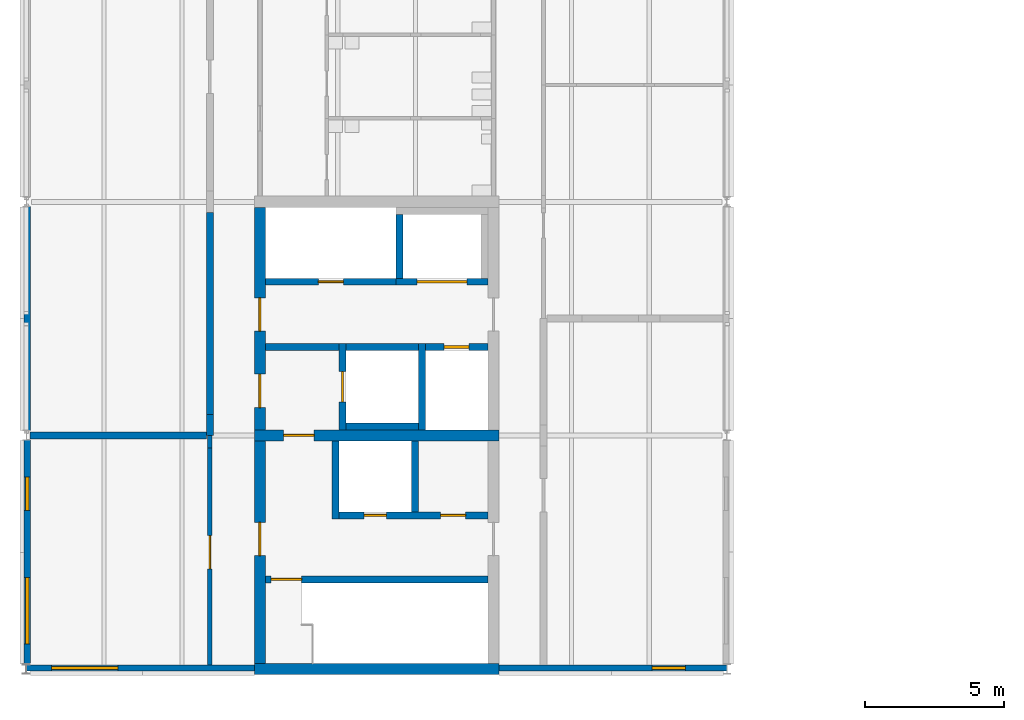
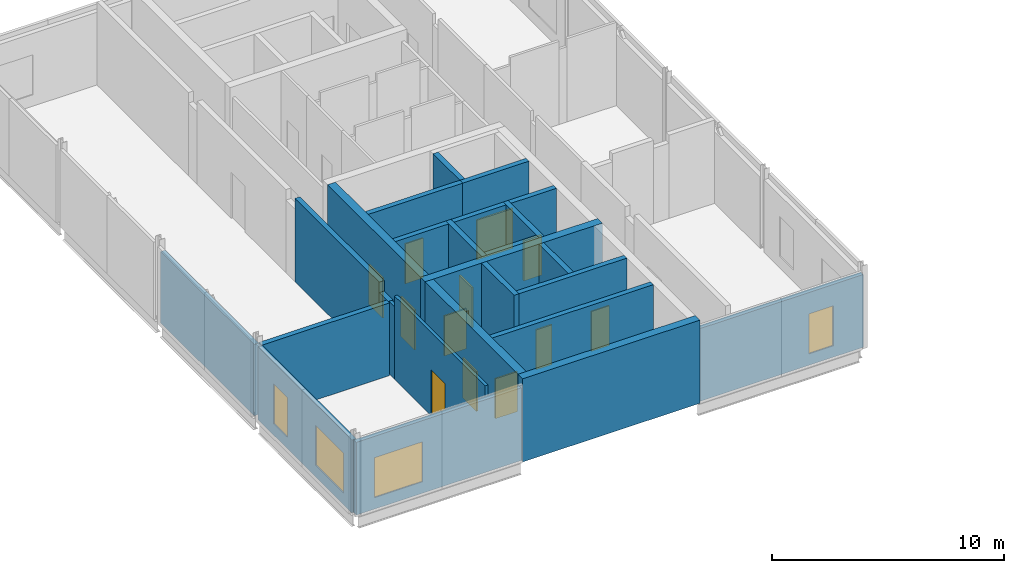
# One storey, part 13 of 26: 26 walls, 12 doors, 4 windows, 16 openings.
"""IFC4 building model written with IfcOpenShell, lengths in metres."""

from ifc_helpers import new_model, si_unit, direction, frame, frame_2d, origin, place, context, subcontext, project, spatial, rectangle, extrude, material, layer, layer_set, type_object, element, fill, save


model = new_model("IFC4")

# Units and contexts
model_context = context("Model", 3, precision=1e-05, world=origin(), true_north=direction((0.0, 1.0)))
body_context = subcontext(model_context, "Body", "Model", "MODEL_VIEW")
ifc_project = project(units=[si_unit("LENGTHUNIT", "METRE"), si_unit("AREAUNIT", "SQUARE_METRE"), si_unit("VOLUMEUNIT", "CUBIC_METRE"), si_unit("PLANEANGLEUNIT", "RADIAN"), si_unit("MASSUNIT", "GRAM", prefix="KILO")], contexts=[model_context])

# Site, building, storey
site_placement = place(None, origin())
site = spatial("IfcSite", under=ifc_project, at=site_placement, CompositionType="ELEMENT")
building_placement = place(site_placement, origin())
building = spatial("IfcBuilding", under=site, at=building_placement, Name="Hlaing Beacon Police Headquarters", CompositionType="ELEMENT")
storey_placement = place(building_placement, frame((0.0, 0.0, 23.39990234375)))
storey = spatial("IfcBuildingStorey", under=building, at=storey_placement, Name="L05", CompositionType="ELEMENT", Elevation=23.39990234375)

# Wall, opening, door
ifc_material_1 = material(Name="Concrete C60/75", Category="concrete")
ifc_layer_1 = layer(ifc_material_1, 0.39990234375)
ifc_layer_set_1 = layer_set([ifc_layer_1], Name="Concrete C60/75")
wall_type_1 = type_object("IfcWallType", Name="Core shear wall 400", PredefinedType="SHEAR", material=ifc_layer_set_1)
wall_1_placement = place(storey_placement, frame((16.60009765625, 42.0, 0.0), z_axis=(0.0, 0.0, 1.0), x_axis=(1.0, 0.0, 0.0)))
wall_1 = element("IfcWall", 1, at=wall_1_placement, inside=storey, type_object=wall_type_1, Name="Core shear wall", PredefinedType="SHEAR", context=body_context, shape_type="SweptSolid", body=[
    extrude(rectangle(XDim=8.7998046875, YDim=0.39990234375, at=frame_2d((4.39990234375, 0.0))), origin(), (0.0, 0.0, 1.0), 4.3701171875),
])
opening_1_placement = place(wall_1_placement, frame((1.050048828125, 0.0, 0.0)))
opening_1 = element("IfcOpeningElement", 2, at=opening_1_placement, cuts=wall_1, Name="Opening L05-919", PredefinedType="OPENING", context=body_context, shape_type="SweptSolid", body=[
    extrude(rectangle(XDim=1.10009765625, YDim=2.10009765625, at=frame_2d((0.550048828125, 1.050048828125))), frame((0.0, 0.2099609375, 0.0), z_axis=(0.0, -1.0, 0.0), x_axis=(1.0, 0.0, 0.0)), (0.0, 0.0, 1.0), 0.419921875),
])
ifc_material_2 = material(Name="Steel fire door leaf", Category="steel")
ifc_layer_2 = layer(ifc_material_2, 0.070068359375)
ifc_layer_set_2 = layer_set([ifc_layer_2], Name="Steel fire door leaf")
door_type_1 = type_object("IfcDoorType", Name="Steel fire door FD60S 1100x2100", OperationType="SINGLE_SWING_LEFT", PredefinedType="DOOR", material=ifc_layer_set_2)
door_1_placement = place(opening_1_placement, frame((1.10009765625, 0.0, 0.0), z_axis=(0.0, 0.0, 1.0), x_axis=(-1.0, 0.0, 0.0)))
door_1 = element("IfcDoor", 3, at=door_1_placement, inside=storey, type_object=door_type_1, Name="Door Firefighting Lobby Stair", OperationType="SINGLE_SWING_LEFT", OverallHeight=2.10009765625, OverallWidth=1.10009765625, PredefinedType="DOOR", context=body_context, shape_type="SweptSolid", body=[
    extrude(rectangle(XDim=1.10009765625, YDim=2.10009765625, at=frame_2d((0.550048828125, 1.050048828125))), frame((0.0, 0.034912109375, 0.0), z_axis=(0.0, -1.0, 0.0), x_axis=(1.0, 0.0, 0.0)), (0.0, 0.0, 1.0), 0.070068359375),
])
fill(opening_1, door_1)

# Wall, openings, doors
wall_2_placement = place(storey_placement, frame((16.800048828125, 42.199951171875, 0.0), z_axis=(0.0, 0.0, 1.0), x_axis=(0.0, 1.0, 0.0)))
wall_2 = element("IfcWall", 4, at=wall_2_placement, inside=storey, type_object=wall_type_1, Name="Core shear wall", PredefinedType="SHEAR", context=body_context, shape_type="SweptSolid", body=[
    extrude(rectangle(XDim=8.0, YDim=0.39990234375, at=frame_2d((4.0, 0.0))), origin(), (0.0, 0.0, 1.0), 4.3701171875),
])
opening_2_placement = place(wall_2_placement, frame((3.550048828125, 0.0, 0.0)))
opening_2 = element("IfcOpeningElement", 5, at=opening_2_placement, cuts=wall_2, Name="Opening L05-916", PredefinedType="OPENING", context=body_context, shape_type="SweptSolid", body=[
    extrude(rectangle(XDim=1.199951171875, YDim=2.10009765625, at=frame_2d((0.60009765625, 1.050048828125))), frame((0.0, 0.2099609375, 0.0), z_axis=(0.0, -1.0, 0.0), x_axis=(1.0, 0.0, 0.0)), (0.0, 0.0, 1.0), 0.419921875),
])
opening_3_placement = place(wall_2_placement, frame((0.800048828125, 0.0, 0.0)))
opening_3 = element("IfcOpeningElement", 6, at=opening_3_placement, cuts=wall_2, Name="Opening L05-918", PredefinedType="OPENING", context=body_context, shape_type="SweptSolid", body=[
    extrude(rectangle(XDim=1.199951171875, YDim=2.10009765625, at=frame_2d((0.60009765625, 1.050048828125))), frame((0.0, 0.2099609375, 0.0), z_axis=(0.0, -1.0, 0.0), x_axis=(1.0, 0.0, 0.0)), (0.0, 0.0, 1.0), 0.419921875),
])
ifc_material_3 = material(Name="Steel fire door leaf", Category="steel")
ifc_layer_3 = layer(ifc_material_3, 0.070068359375)
ifc_layer_set_3 = layer_set([ifc_layer_3], Name="Steel fire door leaf")
door_type_2 = type_object("IfcDoorType", Name="Steel fire door FD60S 1200x2100", OperationType="SINGLE_SWING_LEFT", PredefinedType="DOOR", material=ifc_layer_set_3)
door_2_placement = place(opening_2_placement, frame((1.199951171875, 0.0, 0.0), z_axis=(0.0, 0.0, 1.0), x_axis=(-1.0, 0.0, 0.0)))
door_2 = element("IfcDoor", 7, at=door_2_placement, inside=storey, type_object=door_type_2, Name="Door Lift Lobby Entry", OperationType="SINGLE_SWING_RIGHT", OverallHeight=2.10009765625, OverallWidth=1.199951171875, PredefinedType="DOOR", context=body_context, shape_type="SweptSolid", body=[
    extrude(rectangle(XDim=1.199951171875, YDim=2.10009765625, at=frame_2d((0.599853515625, 1.050048828125))), frame((0.0, 0.034912109375, 0.0), z_axis=(0.0, -1.0, 0.0), x_axis=(1.0, 0.0, 0.0)), (0.0, 0.0, 1.0), 0.070068359375),
])
fill(opening_2, door_2)
door_3_placement = place(opening_3_placement, frame((1.199951171875, 0.0, 0.0), z_axis=(0.0, 0.0, 1.0), x_axis=(-1.0, 0.0, 0.0)))
door_3 = element("IfcDoor", 8, at=door_3_placement, inside=storey, type_object=door_type_2, Name="Door Firefighting Lobby Entry", OperationType="SINGLE_SWING_LEFT", OverallHeight=2.10009765625, OverallWidth=1.199951171875, PredefinedType="DOOR", context=body_context, shape_type="SweptSolid", body=[
    extrude(rectangle(XDim=1.199951171875, YDim=2.10009765625, at=frame_2d((0.599853515625, 1.050048828125))), frame((0.0, 0.034912109375, 0.0), z_axis=(0.0, -1.0, 0.0), x_axis=(1.0, 0.0, 0.0)), (0.0, 0.0, 1.0), 0.070068359375),
])
fill(opening_3, door_3)

# Wall
wall_3_placement = place(storey_placement, frame((16.60009765625, 33.60009765625, 0.0), z_axis=(0.0, 0.0, 1.0), x_axis=(1.0, 0.0, 0.0)))
element("IfcWall", 9, at=wall_3_placement, inside=storey, type_object=wall_type_1, Name="Core shear wall", PredefinedType="SHEAR", context=body_context, shape_type="SweptSolid", body=[
    extrude(rectangle(XDim=8.7998046875, YDim=0.39990234375, at=frame_2d((4.39990234375, 0.0))), origin(), (0.0, 0.0, 1.0), 4.3701171875),
])

# Wall, opening, door
wall_4_placement = place(storey_placement, frame((16.800048828125, 33.800048828125, 0.0), z_axis=(0.0, 0.0, 1.0), x_axis=(0.0, 1.0, 0.0)))
wall_4 = element("IfcWall", 10, at=wall_4_placement, inside=storey, type_object=wall_type_1, Name="Core shear wall", PredefinedType="SHEAR", context=body_context, shape_type="SweptSolid", body=[
    extrude(rectangle(XDim=8.0, YDim=0.39990234375, at=frame_2d((4.0, 0.0))), origin(), (0.0, 0.0, 1.0), 4.3701171875),
])
opening_4_placement = place(wall_4_placement, frame((3.875, 0.0, 0.0)))
opening_4 = element("IfcOpeningElement", 11, at=opening_4_placement, cuts=wall_4, Name="Opening L05-928", PredefinedType="OPENING", context=body_context, shape_type="SweptSolid", body=[
    extrude(rectangle(XDim=1.199951171875, YDim=2.10009765625, at=frame_2d((0.60009765625, 1.050048828125))), frame((0.0, 0.2099609375, 0.0), z_axis=(0.0, -1.0, 0.0), x_axis=(1.0, 0.0, 0.0)), (0.0, 0.0, 1.0), 0.419921875),
])
door_4_placement = place(opening_4_placement, frame((1.199951171875, 0.0, 0.0), z_axis=(0.0, 0.0, 1.0), x_axis=(-1.0, 0.0, 0.0)))
door_4 = element("IfcDoor", 12, at=door_4_placement, inside=storey, type_object=door_type_2, Name="Door Stair Lobby ST-N Entry", OperationType="SINGLE_SWING_RIGHT", OverallHeight=2.10009765625, OverallWidth=1.199951171875, PredefinedType="DOOR", context=body_context, shape_type="SweptSolid", body=[
    extrude(rectangle(XDim=1.199951171875, YDim=2.10009765625, at=frame_2d((0.599853515625, 1.050048828125))), frame((0.0, 0.034912109375, 0.0), z_axis=(0.0, -1.0, 0.0), x_axis=(1.0, 0.0, 0.0)), (0.0, 0.0, 1.0), 0.070068359375),
])
fill(opening_4, door_4)

ifc_material_4 = material(Name="Gypsum board partition")
ifc_layer_4 = layer(ifc_material_4, 0.14990234375)
ifc_layer_set_4 = layer_set([ifc_layer_4], Name="Gypsum board partition")
wall_type_2 = type_object("IfcWallType", Name="Corridor wall EI 30 150", PredefinedType="PARTITIONING", material=ifc_layer_set_4)
wall_5_placement = place(storey_placement, frame((15.0, 33.75, 0.0), z_axis=(0.0, 0.0, 1.0), x_axis=(0.0, 1.0, 0.0)))
wall_5 = element("IfcWall", 13, at=wall_5_placement, inside=storey, type_object=wall_type_2, Name="Corridor wall EI 30 150", PredefinedType="PARTITIONING", context=body_context, shape_type="SweptSolid", body=[
    extrude(rectangle(XDim=7.7900390625, YDim=0.14990234375, at=frame_2d((3.89501953125, 0.0))), origin(), (0.0, 0.0, 1.0), 4.3701171875),
])
opening_5_placement = place(wall_5_placement, frame((3.449951171875, 0.0, 0.0)))
opening_5 = element("IfcOpeningElement", 14, at=opening_5_placement, cuts=wall_5, Name="Opening L05-017", PredefinedType="OPENING", context=body_context, shape_type="SweptSolid", body=[
    extrude(rectangle(XDim=1.199951171875, YDim=2.39990234375, at=frame_2d((0.60009765625, 1.199951171875))), frame((0.0, 0.0849609375, 0.0), z_axis=(0.0, -1.0, 0.0), x_axis=(1.0, 0.0, 0.0)), (0.0, 0.0, 1.0), 0.169921875),
])
ifc_material_5 = material(Name="Hardwood door leaf", Category="wood")
ifc_layer_5 = layer(ifc_material_5, 0.050048828125)
ifc_layer_set_5 = layer_set([ifc_layer_5], Name="Hardwood door leaf")
door_type_3 = type_object("IfcDoorType", Name="Fire public door FD30S 1200x2400", OperationType="SINGLE_SWING_LEFT", PredefinedType="DOOR", material=ifc_layer_set_5)
door_5_placement = place(opening_5_placement, origin())
door_5 = element("IfcDoor", 15, at=door_5_placement, inside=storey, type_object=door_type_3, Name="Door Laboratory Staff Welfare Room", OperationType="SINGLE_SWING_LEFT", OverallHeight=2.39990234375, OverallWidth=1.199951171875, PredefinedType="DOOR", context=body_context, shape_type="SweptSolid", body=[
    extrude(rectangle(XDim=1.199951171875, YDim=2.39990234375, at=frame_2d((0.60009765625, 1.199951171875))), frame((0.0, 0.02490234375, 0.0), z_axis=(0.0, -1.0, 0.0), x_axis=(1.0, 0.0, 0.0)), (0.0, 0.0, 1.0), 0.050048828125),
])
fill(opening_5, door_5)

# Walls
wall_6_placement = place(storey_placement, frame((15.0, 41.5400390625, 0.0), z_axis=(0.0, 0.0, 1.0), x_axis=(0.0, 1.0, 0.0)))
element("IfcWall", 16, at=wall_6_placement, inside=storey, type_object=wall_type_2, Name="Corridor wall EI 30 150", PredefinedType="PARTITIONING", context=body_context, shape_type="SweptSolid", body=[
    extrude(rectangle(XDim=0.4599609375, YDim=0.14990234375, at=frame_2d((0.22998046875, 0.0))), origin(), (0.0, 0.0, 1.0), 3.817138671875),
])
ifc_material_6 = material(Name="Concrete blockwork 7.5 N/mm2", Category="masonry")
ifc_layer_6 = layer(ifc_material_6, 0.25)
ifc_layer_set_6 = layer_set([ifc_layer_6], Name="Concrete blockwork 7.5 N/mm2")
wall_type_3 = type_object("IfcWallType", Name="Plant room wall EI 120 250", PredefinedType="PARTITIONING", material=ifc_layer_set_6)
wall_7_placement = place(storey_placement, frame((15.0, 42.0, 0.0), z_axis=(0.0, 0.0, 1.0), x_axis=(0.0, 1.0, 0.0)))
element("IfcWall", 17, at=wall_7_placement, inside=storey, type_object=wall_type_3, Name="Plant room wall EI 120 250", PredefinedType="PARTITIONING", context=body_context, shape_type="SweptSolid", body=[
    extrude(rectangle(XDim=0.760009765625, YDim=0.25, at=frame_2d((0.3798828125, 0.0))), origin(), (0.0, 0.0, 1.0), 3.817138671875),
])
wall_8_placement = place(storey_placement, frame((15.0, 42.760009765625, 0.0), z_axis=(0.0, 0.0, 1.0), x_axis=(0.0, 1.0, 0.0)))
element("IfcWall", 18, at=wall_8_placement, inside=storey, type_object=wall_type_3, Name="Plant room wall EI 120 250", PredefinedType="PARTITIONING", context=body_context, shape_type="SweptSolid", body=[
    extrude(rectangle(XDim=7.260009765625, YDim=0.25, at=frame_2d((3.6298828125, 0.0))), origin(), (0.0, 0.0, 1.0), 4.3701171875),
])
wall_9_placement = place(storey_placement, frame((8.529052734375, 42.0, 0.0), z_axis=(0.0, 0.0, 1.0), x_axis=(1.0, 0.0, 0.0)))
element("IfcWall", 19, at=wall_9_placement, inside=storey, type_object=wall_type_3, Name="Plant room wall EI 120 250", PredefinedType="PARTITIONING", context=body_context, shape_type="SweptSolid", body=[
    extrude(rectangle(XDim=6.345947265625, YDim=0.25, at=frame_2d((3.1728515625, 0.0))), origin(), (0.0, 0.0, 1.0), 3.817138671875),
])

# Wall, opening, window
ifc_material_7 = material(Name="Fibre cement ribbed cladding on insulated frame")
ifc_layer_7 = layer(ifc_material_7, 0.22509765625)
ifc_layer_set_7 = layer_set([ifc_layer_7], Name="Fibre cement ribbed cladding on insulated frame")
wall_type_4 = type_object("IfcWallType", Name="Ribbed fibre-cement clad wall 225", PredefinedType="SOLIDWALL", material=ifc_layer_set_7)
wall_10_placement = place(storey_placement, frame((8.405517578125, 33.637451171875, 0.0), z_axis=(0.0, 0.0, 1.0), x_axis=(1.0, 0.0, 0.0)))
wall_10 = element("IfcWall", 20, at=wall_10_placement, inside=storey, type_object=wall_type_4, Name="External wall L05 S001", PredefinedType="SOLIDWALL", context=body_context, shape_type="SweptSolid", body=[
    extrude(rectangle(XDim=8.194580078125, YDim=0.22509765625, at=frame_2d((4.09716796875, 0.0))), origin(), (0.0, 0.0, 1.0), 3.819091796875),
])
opening_6_placement = place(wall_10_placement, frame((0.89453125, 0.0, 0.60009765625)))
opening_6 = element("IfcOpeningElement", 21, at=opening_6_placement, cuts=wall_10, Name="Opening WN8", PredefinedType="OPENING", context=body_context, shape_type="SweptSolid", body=[
    extrude(rectangle(XDim=2.39990234375, YDim=2.10009765625, at=frame_2d((1.199951171875, 1.050048828125))), frame((0.0, 0.12255859375, 0.0), z_axis=(0.0, -1.0, 0.0), x_axis=(1.0, 0.0, 0.0)), (0.0, 0.0, 1.0), 0.2451171875),
])
ifc_material_8 = material(Name="Aluminium louvre blades", Category="aluminium")
window_type_1 = type_object("IfcWindowType", Name="Louvred bay 2400 2400x2100 frame 120", PartitioningType="SINGLE_PANEL", PredefinedType="WINDOW", material=ifc_material_8)
window_1_placement = place(opening_6_placement, origin())
window_1 = element("IfcWindow", 22, at=window_1_placement, inside=storey, type_object=window_type_1, Name="Louvre L05 WL3", OverallHeight=2.10009765625, OverallWidth=2.39990234375, PartitioningType="SINGLE_PANEL", PredefinedType="WINDOW", context=body_context, shape_type="SweptSolid", body=[
    extrude(rectangle(XDim=2.39990234375, YDim=2.10009765625, at=frame_2d((1.199951171875, 1.050048828125))), frame((0.0, 0.06005859375, 0.0), z_axis=(0.0, -1.0, 0.0), x_axis=(1.0, 0.0, 0.0)), (0.0, 0.0, 1.0), 0.1201171875),
])
fill(opening_6, window_1)

wall_11_placement = place(storey_placement, frame((25.39990234375, 33.637451171875, 0.0), z_axis=(0.0, 0.0, 1.0), x_axis=(1.0, 0.0, 0.0)))
wall_11 = element("IfcWall", 23, at=wall_11_placement, inside=storey, type_object=wall_type_4, Name="External wall L05 S002", PredefinedType="SOLIDWALL", context=body_context, shape_type="SweptSolid", body=[
    extrude(rectangle(XDim=8.1962890625, YDim=0.22509765625, at=frame_2d((4.09814453125, 0.0))), origin(), (0.0, 0.0, 1.0), 3.819091796875),
])
opening_7_placement = place(wall_11_placement, frame((5.5, 0.0, 0.60009765625)))
opening_7 = element("IfcOpeningElement", 24, at=opening_7_placement, cuts=wall_11, Name="Opening WN35", PredefinedType="OPENING", context=body_context, shape_type="SweptSolid", body=[
    extrude(rectangle(XDim=1.199951171875, YDim=2.10009765625, at=frame_2d((0.60009765625, 1.050048828125))), frame((0.0, 0.12255859375, 0.0), z_axis=(0.0, -1.0, 0.0), x_axis=(1.0, 0.0, 0.0)), (0.0, 0.0, 1.0), 0.2451171875),
])
ifc_material_9 = material(Name="Aluminium louvre blades", Category="aluminium")
window_type_2 = type_object("IfcWindowType", Name="Louvred bay 1200 1200x2100 frame 120", PartitioningType="SINGLE_PANEL", PredefinedType="WINDOW", material=ifc_material_9)
window_2_placement = place(opening_7_placement, origin())
window_2 = element("IfcWindow", 25, at=window_2_placement, inside=storey, type_object=window_type_2, Name="Louvre L05 WL2", OverallHeight=2.10009765625, OverallWidth=1.199951171875, PartitioningType="SINGLE_PANEL", PredefinedType="WINDOW", context=body_context, shape_type="SweptSolid", body=[
    extrude(rectangle(XDim=1.199951171875, YDim=2.10009765625, at=frame_2d((0.60009765625, 1.050048828125))), frame((0.0, 0.06005859375, 0.0), z_axis=(0.0, -1.0, 0.0), x_axis=(1.0, 0.0, 0.0)), (0.0, 0.0, 1.0), 0.1201171875),
])
fill(opening_7, window_2)

# Wall
wall_12_placement = place(storey_placement, frame((8.4375, 50.22998046875, 0.0), z_axis=(0.0, 0.0, 1.0), x_axis=(0.0, -1.0, 0.0)))
element("IfcWall", 26, at=wall_12_placement, inside=storey, type_object=wall_type_4, Name="External wall L05 W011", PredefinedType="SOLIDWALL", context=body_context, shape_type="SweptSolid", body=[
    extrude(rectangle(XDim=8.06005859375, YDim=0.22509765625, at=frame_2d((4.030029296875, 0.0))), origin(), (0.0, 0.0, 1.0), 3.74609375),
])

# Wall, openings, windows
wall_13_placement = place(storey_placement, frame((8.4375, 41.830078125, 0.0), z_axis=(0.0, 0.0, 1.0), x_axis=(0.0, -1.0, 0.0)))
wall_13 = element("IfcWall", 27, at=wall_13_placement, inside=storey, type_object=wall_type_4, Name="External wall L05 W012", PredefinedType="SOLIDWALL", context=body_context, shape_type="SweptSolid", body=[
    extrude(rectangle(XDim=8.059814453125, YDim=0.22509765625, at=frame_2d((4.02978515625, 0.0))), origin(), (0.0, 0.0, 1.0), 3.819091796875),
])
opening_8_placement = place(wall_13_placement, frame((1.330078125, 0.0, 0.60009765625)))
opening_8 = element("IfcOpeningElement", 28, at=opening_8_placement, cuts=wall_13, Name="Opening WN35", PredefinedType="OPENING", context=body_context, shape_type="SweptSolid", body=[
    extrude(rectangle(XDim=1.199951171875, YDim=2.10009765625, at=frame_2d((0.60009765625, 1.050048828125))), frame((0.0, 0.12255859375, 0.0), z_axis=(0.0, -1.0, 0.0), x_axis=(1.0, 0.0, 0.0)), (0.0, 0.0, 1.0), 0.2451171875),
])
opening_9_placement = place(wall_13_placement, frame((4.929931640625, 0.0, 0.60009765625)))
opening_9 = element("IfcOpeningElement", 29, at=opening_9_placement, cuts=wall_13, Name="Opening WN8", PredefinedType="OPENING", context=body_context, shape_type="SweptSolid", body=[
    extrude(rectangle(XDim=2.39990234375, YDim=2.10009765625, at=frame_2d((1.199951171875, 1.050048828125))), frame((0.0, 0.12255859375, 0.0), z_axis=(0.0, -1.0, 0.0), x_axis=(1.0, 0.0, 0.0)), (0.0, 0.0, 1.0), 0.2451171875),
])
window_3_placement = place(opening_8_placement, origin())
window_3 = element("IfcWindow", 30, at=window_3_placement, inside=storey, type_object=window_type_2, Name="Louvre L05 WL2", OverallHeight=2.10009765625, OverallWidth=1.199951171875, PartitioningType="SINGLE_PANEL", PredefinedType="WINDOW", context=body_context, shape_type="SweptSolid", body=[
    extrude(rectangle(XDim=1.199951171875, YDim=2.10009765625, at=frame_2d((0.60009765625, 1.050048828125))), frame((0.0, 0.06005859375, 0.0), z_axis=(0.0, -1.0, 0.0), x_axis=(1.0, 0.0, 0.0)), (0.0, 0.0, 1.0), 0.1201171875),
])
fill(opening_8, window_3)
window_4_placement = place(opening_9_placement, origin())
window_4 = element("IfcWindow", 31, at=window_4_placement, inside=storey, type_object=window_type_1, Name="Louvre L05 WL3", OverallHeight=2.10009765625, OverallWidth=2.39990234375, PartitioningType="SINGLE_PANEL", PredefinedType="WINDOW", context=body_context, shape_type="SweptSolid", body=[
    extrude(rectangle(XDim=2.39990234375, YDim=2.10009765625, at=frame_2d((1.199951171875, 1.050048828125))), frame((0.0, 0.06005859375, 0.0), z_axis=(0.0, -1.0, 0.0), x_axis=(1.0, 0.0, 0.0)), (0.0, 0.0, 1.0), 0.1201171875),
])
fill(opening_9, window_4)

# Wall, opening, door
ifc_material_10 = material(Name="Concrete C40/50", Category="concrete")
ifc_layer_8 = layer(ifc_material_10, 0.25)
ifc_layer_set_8 = layer_set([ifc_layer_8], Name="Concrete C40/50")
wall_type_5 = type_object("IfcWallType", Name="Shaft wall 250", PredefinedType="SOLIDWALL", material=ifc_layer_set_8)
wall_14_placement = place(storey_placement, frame((21.699951171875, 47.52490234375, 0.0), z_axis=(0.0, 0.0, 1.0), x_axis=(-1.0, 0.0, 0.0)))
wall_14 = element("IfcWall", 32, at=wall_14_placement, inside=storey, type_object=wall_type_5, Name="Lobby wall", PredefinedType="SOLIDWALL", context=body_context, shape_type="SweptSolid", body=[
    extrude(rectangle(XDim=4.699951171875, YDim=0.25, at=frame_2d((2.35009765625, 0.0))), origin(), (0.0, 0.0, 1.0), 4.3701171875),
])
opening_10_placement = place(wall_14_placement, frame((1.89990234375, 0.0, 0.0)))
opening_10 = element("IfcOpeningElement", 33, at=opening_10_placement, cuts=wall_14, Name="Opening L05-920", PredefinedType="OPENING", context=body_context, shape_type="SweptSolid", body=[
    extrude(rectangle(XDim=0.89990234375, YDim=2.10009765625, at=frame_2d((0.449951171875, 1.050048828125))), frame((0.0, 0.135009765625, 0.0), z_axis=(0.0, -1.0, 0.0), x_axis=(1.0, 0.0, 0.0)), (0.0, 0.0, 1.0), 0.27001953125),
])
ifc_material_11 = material(Name="Steel fire door leaf", Category="steel")
ifc_layer_9 = layer(ifc_material_11, 0.070068359375)
ifc_layer_set_9 = layer_set([ifc_layer_9], Name="Steel fire door leaf")
door_type_4 = type_object("IfcDoorType", Name="Steel fire door FD60 900x2100", OperationType="SINGLE_SWING_LEFT", PredefinedType="DOOR", material=ifc_layer_set_9)
door_6_placement = place(opening_10_placement, frame((0.89990234375, 0.0, 0.0), z_axis=(0.0, 0.0, 1.0), x_axis=(-1.0, 0.0, 0.0)))
door_6 = element("IfcDoor", 34, at=door_6_placement, inside=storey, type_object=door_type_4, Name="Door Services Riser", OperationType="SINGLE_SWING_RIGHT", OverallHeight=2.10009765625, OverallWidth=0.89990234375, PredefinedType="DOOR", context=body_context, shape_type="SweptSolid", body=[
    extrude(rectangle(XDim=0.89990234375, YDim=2.10009765625, at=frame_2d((0.449951171875, 1.050048828125))), frame((0.0, 0.034912109375, 0.0), z_axis=(0.0, -1.0, 0.0), x_axis=(1.0, 0.0, 0.0)), (0.0, 0.0, 1.0), 0.070068359375),
])
fill(opening_10, door_6)

wall_15_placement = place(storey_placement, frame((25.0, 45.175048828125, 0.0), z_axis=(0.0, 0.0, 1.0), x_axis=(-1.0, 0.0, 0.0)))
wall_15 = element("IfcWall", 35, at=wall_15_placement, inside=storey, type_object=wall_type_5, Name="Lobby wall", PredefinedType="SOLIDWALL", context=body_context, shape_type="SweptSolid", body=[
    extrude(rectangle(XDim=2.25, YDim=0.25, at=frame_2d((1.125, 0.0))), origin(), (0.0, 0.0, 1.0), 4.3701171875),
])
opening_11_placement = place(wall_15_placement, frame((0.675048828125, 0.0, 0.0)))
opening_11 = element("IfcOpeningElement", 36, at=opening_11_placement, cuts=wall_15, Name="Opening L05-921", PredefinedType="OPENING", context=body_context, shape_type="SweptSolid", body=[
    extrude(rectangle(XDim=0.89990234375, YDim=2.10009765625, at=frame_2d((0.449951171875, 1.050048828125))), frame((0.0, 0.135009765625, 0.0), z_axis=(0.0, -1.0, 0.0), x_axis=(1.0, 0.0, 0.0)), (0.0, 0.0, 1.0), 0.27001953125),
])
ifc_material_12 = material(Name="Steel fire door leaf", Category="steel")
ifc_layer_10 = layer(ifc_material_12, 0.10009765625)
ifc_layer_set_10 = layer_set([ifc_layer_10], Name="Steel fire door leaf")
door_type_5 = type_object("IfcDoorType", Name="Steel fire door FD120 900x2100", OperationType="SINGLE_SWING_LEFT", PredefinedType="DOOR", material=ifc_layer_set_10)
door_7_placement = place(opening_11_placement, origin())
door_7 = element("IfcDoor", 37, at=door_7_placement, inside=storey, type_object=door_type_5, Name="Door Electrical Riser Room", OperationType="SINGLE_SWING_LEFT", OverallHeight=2.10009765625, OverallWidth=0.89990234375, PredefinedType="DOOR", context=body_context, shape_type="SweptSolid", body=[
    extrude(rectangle(XDim=0.89990234375, YDim=2.10009765625, at=frame_2d((0.449951171875, 1.050048828125))), frame((0.0, 0.050048828125, 0.0), z_axis=(0.0, -1.0, 0.0), x_axis=(1.0, 0.0, 0.0)), (0.0, 0.0, 1.0), 0.10009765625),
])
fill(opening_11, door_7)

# Wall
wall_16_placement = place(storey_placement, frame((19.64990234375, 45.175048828125, 0.0), z_axis=(0.0, 0.0, 1.0), x_axis=(-1.0, 0.0, 0.0)))
element("IfcWall", 38, at=wall_16_placement, inside=storey, type_object=wall_type_5, Name="Firefighting lobby wall", PredefinedType="SOLIDWALL", context=body_context, shape_type="SweptSolid", body=[
    extrude(rectangle(XDim=2.64990234375, YDim=0.25, at=frame_2d((1.324951171875, 0.0))), origin(), (0.0, 0.0, 1.0), 4.3701171875),
])

# Wall, opening, door
wall_17_placement = place(storey_placement, frame((17.0, 36.824951171875, 0.0), z_axis=(0.0, 0.0, 1.0), x_axis=(1.0, 0.0, 0.0)))
wall_17 = element("IfcWall", 39, at=wall_17_placement, inside=storey, type_object=wall_type_5, Name="Stair enclosure wall", PredefinedType="SOLIDWALL", context=body_context, shape_type="SweptSolid", body=[
    extrude(rectangle(XDim=8.0, YDim=0.25, at=frame_2d((4.0, 0.0))), origin(), (0.0, 0.0, 1.0), 4.3701171875),
])
opening_12_placement = place(wall_17_placement, frame((0.199951171875, 0.0, 0.0)))
opening_12 = element("IfcOpeningElement", 40, at=opening_12_placement, cuts=wall_17, Name="Opening L05-931", PredefinedType="OPENING", context=body_context, shape_type="SweptSolid", body=[
    extrude(rectangle(XDim=1.10009765625, YDim=2.10009765625, at=frame_2d((0.550048828125, 1.050048828125))), frame((0.0, 0.135009765625, 0.0), z_axis=(0.0, -1.0, 0.0), x_axis=(1.0, 0.0, 0.0)), (0.0, 0.0, 1.0), 0.27001953125),
])
ifc_material_13 = material(Name="Steel fire door leaf", Category="steel")
ifc_layer_11 = layer(ifc_material_13, 0.070068359375)
ifc_layer_set_11 = layer_set([ifc_layer_11], Name="Steel fire door leaf")
door_type_6 = type_object("IfcDoorType", Name="Steel fire door FD60 1100x2100", OperationType="SINGLE_SWING_LEFT", PredefinedType="DOOR", material=ifc_layer_set_11)
door_8_placement = place(opening_12_placement, frame((1.10009765625, 0.0, 0.0), z_axis=(0.0, 0.0, 1.0), x_axis=(-1.0, 0.0, 0.0)))
door_8 = element("IfcDoor", 41, at=door_8_placement, inside=storey, type_object=door_type_6, Name="Door Stair ST-N", OperationType="SINGLE_SWING_LEFT", OverallHeight=2.10009765625, OverallWidth=1.10009765625, PredefinedType="DOOR", context=body_context, shape_type="SweptSolid", body=[
    extrude(rectangle(XDim=1.10009765625, YDim=2.10009765625, at=frame_2d((0.550048828125, 1.050048828125))), frame((0.0, 0.034912109375, 0.0), z_axis=(0.0, -1.0, 0.0), x_axis=(1.0, 0.0, 0.0)), (0.0, 0.0, 1.0), 0.070068359375),
])
fill(opening_12, door_8)

# Wall
wall_18_placement = place(storey_placement, frame((19.52490234375, 39.0, 0.0), z_axis=(0.0, 0.0, 1.0), x_axis=(0.0, 1.0, 0.0)))
element("IfcWall", 42, at=wall_18_placement, inside=storey, type_object=wall_type_5, Name="Lobby wall", PredefinedType="SOLIDWALL", context=body_context, shape_type="SweptSolid", body=[
    extrude(rectangle(XDim=2.800048828125, YDim=0.25, at=frame_2d((1.39990234375, 0.0))), origin(), (0.0, 0.0, 1.0), 4.3701171875),
])

# Wall, openings, doors
wall_19_placement = place(storey_placement, frame((19.64990234375, 39.125, 0.0), z_axis=(0.0, 0.0, 1.0), x_axis=(1.0, 0.0, 0.0)))
wall_19 = element("IfcWall", 43, at=wall_19_placement, inside=storey, type_object=wall_type_5, Name="Lobby wall", PredefinedType="SOLIDWALL", context=body_context, shape_type="SweptSolid", body=[
    extrude(rectangle(XDim=5.35009765625, YDim=0.25, at=frame_2d((2.675048828125, 0.0))), origin(), (0.0, 0.0, 1.0), 4.3701171875),
])
opening_13_placement = place(wall_19_placement, frame((3.64990234375, 0.0, 0.0)))
opening_13 = element("IfcOpeningElement", 44, at=opening_13_placement, cuts=wall_19, Name="Opening L05-927", PredefinedType="OPENING", context=body_context, shape_type="SweptSolid", body=[
    extrude(rectangle(XDim=0.89990234375, YDim=2.10009765625, at=frame_2d((0.449951171875, 1.050048828125))), frame((0.0, 0.135009765625, 0.0), z_axis=(0.0, -1.0, 0.0), x_axis=(1.0, 0.0, 0.0)), (0.0, 0.0, 1.0), 0.27001953125),
])
opening_14_placement = place(wall_19_placement, frame((0.89990234375, 0.0, 0.0)))
opening_14 = element("IfcOpeningElement", 45, at=opening_14_placement, cuts=wall_19, Name="Opening L05-930", PredefinedType="OPENING", context=body_context, shape_type="SweptSolid", body=[
    extrude(rectangle(XDim=0.800048828125, YDim=2.10009765625, at=frame_2d((0.39990234375, 1.050048828125))), frame((0.0, 0.135009765625, 0.0), z_axis=(0.0, -1.0, 0.0), x_axis=(1.0, 0.0, 0.0)), (0.0, 0.0, 1.0), 0.27001953125),
])
ifc_material_14 = material(Name="Steel fire door leaf", Category="steel")
ifc_layer_12 = layer(ifc_material_14, 0.070068359375)
ifc_layer_set_12 = layer_set([ifc_layer_12], Name="Steel fire door leaf")
door_type_7 = type_object("IfcDoorType", Name="Steel fire door FD60 800x2100", OperationType="SINGLE_SWING_LEFT", PredefinedType="DOOR", material=ifc_layer_set_12)
door_9_placement = place(opening_14_placement, origin())
door_9 = element("IfcDoor", 46, at=door_9_placement, inside=storey, type_object=door_type_7, Name="Door Services Riser", OperationType="SINGLE_SWING_RIGHT", OverallHeight=2.10009765625, OverallWidth=0.800048828125, PredefinedType="DOOR", context=body_context, shape_type="SweptSolid", body=[
    extrude(rectangle(XDim=0.800048828125, YDim=2.10009765625, at=frame_2d((0.39990234375, 1.050048828125))), frame((0.0, 0.03515625, 0.0), z_axis=(0.0, -1.0, 0.0), x_axis=(1.0, 0.0, 0.0)), (0.0, 0.0, 1.0), 0.070068359375),
])
fill(opening_14, door_9)
door_10_placement = place(opening_13_placement, origin())
door_10 = element("IfcDoor", 47, at=door_10_placement, inside=storey, type_object=door_type_4, Name="Door Cleaners' Store", OperationType="SINGLE_SWING_LEFT", OverallHeight=2.10009765625, OverallWidth=0.89990234375, PredefinedType="DOOR", context=body_context, shape_type="SweptSolid", body=[
    extrude(rectangle(XDim=0.89990234375, YDim=2.10009765625, at=frame_2d((0.449951171875, 1.050048828125))), frame((0.0, 0.03515625, 0.0), z_axis=(0.0, -1.0, 0.0), x_axis=(1.0, 0.0, 0.0)), (0.0, 0.0, 1.0), 0.070068359375),
])
fill(opening_13, door_10)

# Wall
wall_20_placement = place(storey_placement, frame((22.375, 39.25, 0.0), z_axis=(0.0, 0.0, 1.0), x_axis=(0.0, 1.0, 0.0)))
element("IfcWall", 48, at=wall_20_placement, inside=storey, type_object=wall_type_5, Name="Riser wall", PredefinedType="SOLIDWALL", context=body_context, shape_type="SweptSolid", body=[
    extrude(rectangle(XDim=2.550048828125, YDim=0.25, at=frame_2d((1.27490234375, 0.0))), origin(), (0.0, 0.0, 1.0), 4.3701171875),
])

# Wall, opening, door
wall_21_placement = place(storey_placement, frame((21.699951171875, 47.52490234375, 0.0), z_axis=(0.0, 0.0, 1.0), x_axis=(1.0, 0.0, 0.0)))
wall_21 = element("IfcWall", 49, at=wall_21_placement, inside=storey, type_object=wall_type_5, Name="Lift shaft wall EL1", PredefinedType="SOLIDWALL", context=body_context, shape_type="SweptSolid", body=[
    extrude(rectangle(XDim=3.300048828125, YDim=0.25, at=frame_2d((1.64990234375, 0.0))), origin(), (0.0, 0.0, 1.0), 4.3701171875),
])
opening_15_placement = place(wall_21_placement, frame((0.75, 0.0, 0.0)))
opening_15 = element("IfcOpeningElement", 50, at=opening_15_placement, cuts=wall_21, Name="Opening LD-EL1-L05", PredefinedType="OPENING", context=body_context, shape_type="SweptSolid", body=[
    extrude(rectangle(XDim=1.800048828125, YDim=2.10009765625, at=frame_2d((0.89990234375, 1.050048828125))), frame((0.0, 0.135009765625, 0.0), z_axis=(0.0, -1.0, 0.0), x_axis=(1.0, 0.0, 0.0)), (0.0, 0.0, 1.0), 0.27001953125),
])
ifc_material_15 = material(Name="Stainless steel lift landing door", Category="steel")
ifc_layer_13 = layer(ifc_material_15, 0.06005859375)
ifc_layer_set_13 = layer_set([ifc_layer_13], Name="Stainless steel lift landing door")
door_type_8 = type_object("IfcDoorType", Name="Lift landing door 1800x2100", OperationType="DOUBLE_DOOR_SLIDING", PredefinedType="DOOR", material=ifc_layer_set_13)
door_11_placement = place(opening_15_placement, origin())
door_11 = element("IfcDoor", 51, at=door_11_placement, inside=storey, type_object=door_type_8, Name="Landing door EL1 L05", OperationType="DOUBLE_DOOR_SLIDING", OverallHeight=2.10009765625, OverallWidth=1.800048828125, PredefinedType="DOOR", context=body_context, shape_type="SweptSolid", body=[
    extrude(rectangle(XDim=1.800048828125, YDim=2.10009765625, at=frame_2d((0.89990234375, 1.050048828125))), frame((0.0, 0.0400390625, 0.0), z_axis=(0.0, -1.0, 0.0), x_axis=(1.0, 0.0, 0.0)), (0.0, 0.0, 1.0), 0.080078125),
])
fill(opening_15, door_11)

# Walls
wall_22_placement = place(storey_placement, frame((21.824951171875, 47.64990234375, 0.0), z_axis=(0.0, 0.0, 1.0), x_axis=(0.0, 1.0, 0.0)))
element("IfcWall", 52, at=wall_22_placement, inside=storey, type_object=wall_type_5, Name="Lift shaft wall EL1", PredefinedType="SOLIDWALL", context=body_context, shape_type="SweptSolid", body=[
    extrude(rectangle(XDim=2.300048828125, YDim=0.25, at=frame_2d((1.14990234375, 0.0))), origin(), (0.0, 0.0, 1.0), 4.3701171875),
])
wall_23_placement = place(storey_placement, frame((22.625, 42.199951171875, 0.0), z_axis=(0.0, 0.0, 1.0), x_axis=(0.0, 1.0, 0.0)))
element("IfcWall", 53, at=wall_23_placement, inside=storey, type_object=wall_type_5, Name="Lift shaft wall FL2", PredefinedType="SOLIDWALL", context=body_context, shape_type="SweptSolid", body=[
    extrude(rectangle(XDim=3.10009765625, YDim=0.25, at=frame_2d((1.550048828125, 0.0))), origin(), (0.0, 0.0, 1.0), 4.3701171875),
])
for number, where, z_axis, x_axis, name in (
    (54, (19.89990234375, 45.175048828125, 0.0), (0.0, 0.0, 1.0), (1.0, 0.0, 0.0), "Lift shaft wall FL2"),
    (55, (19.89990234375, 42.324951171875, 0.0), (0.0, 0.0, 1.0), (1.0, 0.0, 0.0), "Lift shaft wall FL2"),
):
    element("IfcWall", number, at=place(storey_placement, frame(where, z_axis=z_axis, x_axis=x_axis)), inside=storey, type_object=wall_type_5, Name=name, PredefinedType="SOLIDWALL", context=body_context, shape_type="SweptSolid", body=[
        extrude(rectangle(XDim=2.60009765625, YDim=0.25, at=frame_2d((1.300048828125, 0.0))), origin(), (0.0, 0.0, 1.0), 4.3701171875),
    ])

# Wall, opening, door
wall_24_placement = place(storey_placement, frame((19.77490234375, 42.199951171875, 0.0), z_axis=(0.0, 0.0, 1.0), x_axis=(0.0, 1.0, 0.0)))
wall_24 = element("IfcWall", 56, at=wall_24_placement, inside=storey, type_object=wall_type_5, Name="Lift shaft wall FL2", PredefinedType="SOLIDWALL", context=body_context, shape_type="SweptSolid", body=[
    extrude(rectangle(XDim=3.10009765625, YDim=0.25, at=frame_2d((1.550048828125, 0.0))), origin(), (0.0, 0.0, 1.0), 4.3701171875),
])
opening_16_placement = place(wall_24_placement, frame((1.0, 0.0, 0.0)))
opening_16 = element("IfcOpeningElement", 57, at=opening_16_placement, cuts=wall_24, Name="Opening LD-FL2-L05", PredefinedType="OPENING", context=body_context, shape_type="SweptSolid", body=[
    extrude(rectangle(XDim=1.10009765625, YDim=2.10009765625, at=frame_2d((0.550048828125, 1.050048828125))), frame((0.0, 0.135009765625, 0.0), z_axis=(0.0, -1.0, 0.0), x_axis=(1.0, 0.0, 0.0)), (0.0, 0.0, 1.0), 0.27001953125),
])
ifc_material_16 = material(Name="Stainless steel lift landing door", Category="steel")
ifc_layer_14 = layer(ifc_material_16, 0.06005859375)
ifc_layer_set_14 = layer_set([ifc_layer_14], Name="Stainless steel lift landing door")
door_type_9 = type_object("IfcDoorType", Name="Lift landing door 1100x2100", OperationType="DOUBLE_DOOR_SLIDING", PredefinedType="DOOR", material=ifc_layer_set_14)
door_12_placement = place(opening_16_placement, origin())
door_12 = element("IfcDoor", 58, at=door_12_placement, inside=storey, type_object=door_type_9, Name="Landing door FL2 L05", OperationType="DOUBLE_DOOR_SLIDING", OverallHeight=2.10009765625, OverallWidth=1.10009765625, PredefinedType="DOOR", context=body_context, shape_type="SweptSolid", body=[
    extrude(rectangle(XDim=1.10009765625, YDim=2.10009765625, at=frame_2d((0.550048828125, 1.050048828125))), frame((0.0, 0.0400390625, 0.0), z_axis=(0.0, -1.0, 0.0), x_axis=(1.0, 0.0, 0.0)), (0.0, 0.0, 1.0), 0.080078125),
])
fill(opening_16, door_12)

save(model, "model.ifc")
